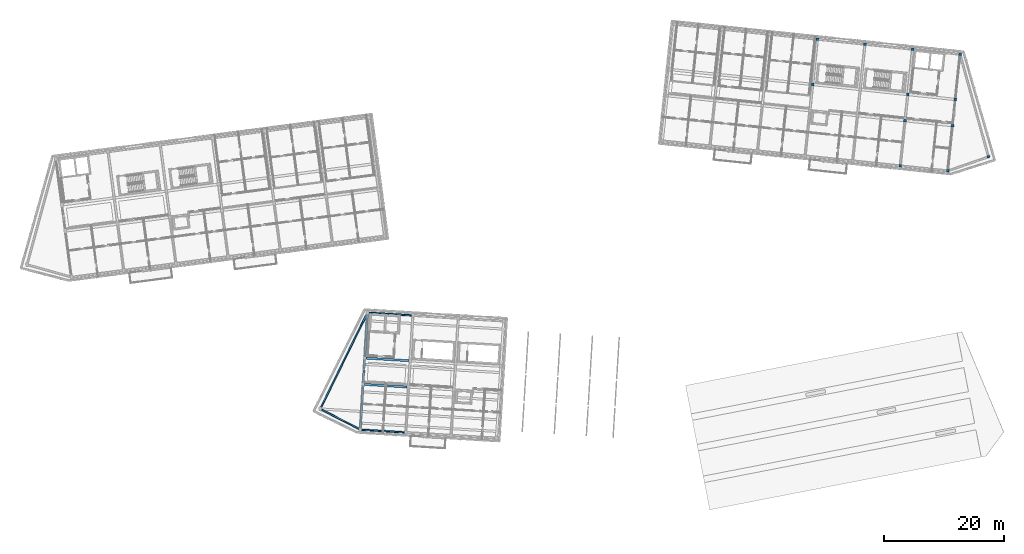
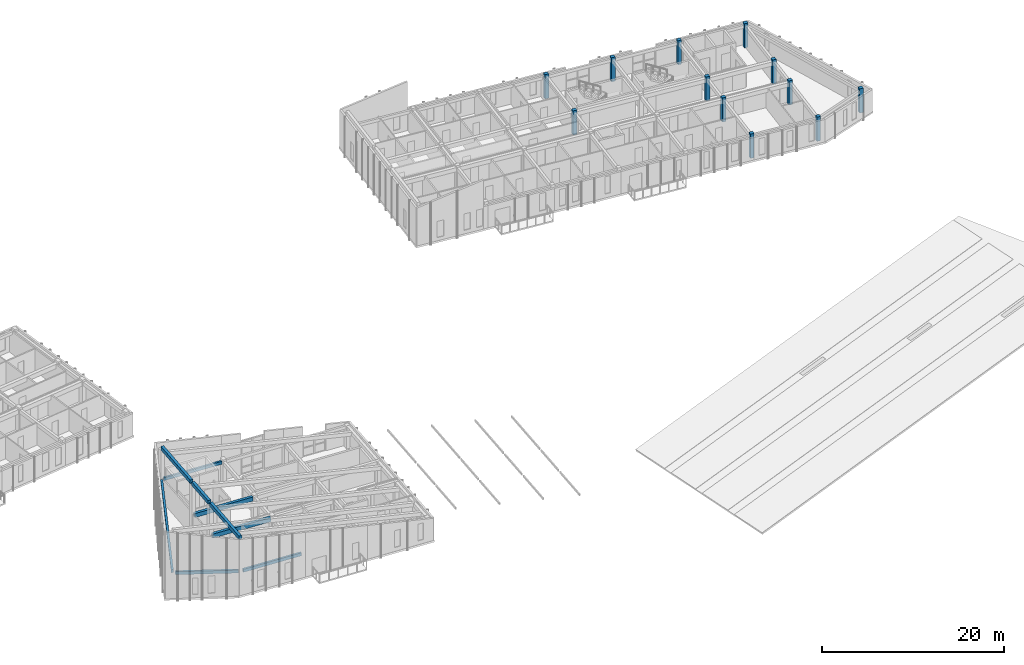
# One storey, part 2 of 45: 12 columns, 9 beams.
"""IFC4 building model written with IfcOpenShell, lengths in metres."""

from ifc_helpers import new_model, si_unit, direction, frame, origin, origin_2d, place, context, subcontext, project, spatial, rectangle, extrude, material, material_profile, profile_set, type_object, element, save


model = new_model("IFC4")

# Units and contexts
model_context = context("Model", 3, precision=1e-05, world=origin(), true_north=direction((0.0, 1.0)))
body_context = subcontext(model_context, "Body", "Model", "MODEL_VIEW")
ifc_project = project(units=[si_unit("LENGTHUNIT", "METRE"), si_unit("AREAUNIT", "SQUARE_METRE"), si_unit("VOLUMEUNIT", "CUBIC_METRE"), si_unit("PLANEANGLEUNIT", "RADIAN"), si_unit("MASSUNIT", "GRAM", prefix="KILO")], contexts=[model_context])

# Site, building, storey
site_placement = place(None, origin())
site = spatial("IfcSite", under=ifc_project, at=site_placement, CompositionType="ELEMENT")
building_placement = place(site_placement, origin())
building = spatial("IfcBuilding", under=site, at=building_placement, Name="Kestramere Prow Commons", CompositionType="ELEMENT")
storey_placement = place(building_placement, frame((0.0, 0.0, 31.14990234375)))
storey = spatial("IfcBuildingStorey", under=building, at=storey_placement, Name="L09", CompositionType="ELEMENT", Elevation=31.14990234375)

# Columns
ifc_material = material(Name="Precast concrete C40/50", Category="concrete")
ifc_material_profile_1 = material_profile(ifc_material, rectangle(XDim=0.449951171875, YDim=0.449951171875, at=origin_2d()), Name="PC-COL 450x450")
ifc_profile_set_1 = profile_set([ifc_material_profile_1], Name="Precast concrete C40/50")
column_type = type_object("IfcColumnType", Name="C-B3 PC-COL 450x450", PredefinedType="COLUMN", material=ifc_profile_set_1)
for number, where, z_axis, x_axis, name in (
    (1, (135.122802734375, 104.2255859375, 0.0), (0.0, 0.0, 1.0), (0.994521895368, -0.104528463268, 0.0), "Block B L09 Column 4-3"),
    (2, (135.917236328125, 111.783935546875, 0.0), (0.0, 0.0, 1.0), (0.994521895368, -0.104528463268, 0.0), "Block B L09 Column 4-4"),
    (3, (143.87353515625, 110.94775390625, 0.0), (0.0, 0.0, 1.0), (0.994521895368, -0.104528463268, 0.0), "Block B L09 Column 5-4"),
    (4, (149.78076171875, 90.618896484375, 0.0), (0.0, 0.0, 1.0), (0.994521895368, -0.104528463268, 0.0), "Block B L09 Column 6-1"),
    (5, (150.5751953125, 98.17724609375, 0.0), (0.0, 0.0, 1.0), (0.994521895368, -0.104528463268, 0.0), "Block B L09 Column 6-2"),
    (6, (151.03515625, 102.55322265625, 0.0), (0.0, 0.0, 1.0), (0.994521895368, -0.104528463268, 0.0), "Block B L09 Column 6-3"),
    (7, (151.82958984375, 110.111572265625, 0.0), (0.0, 0.0, 1.0), (0.994521895368, -0.104528463268, 0.0), "Block B L09 Column 6-4"),
    (8, (157.737060546875, 89.78271484375, 0.0), (0.0, 0.0, 1.0), (0.994521895368, -0.104528463268, 0.0), "Block B L09 Column 7-1"),
    (9, (158.531494140625, 97.341064453125, 0.0), (0.0, 0.0, 1.0), (0.994521895368, -0.104528463268, 0.0), "Block B L09 Column 7-2"),
    (10, (158.991455078125, 101.716796875, 0.0), (0.0, 0.0, 1.0), (0.994521895368, -0.104528463268, 0.0), "Block B L09 Column 7-3"),
    (11, (159.785888671875, 109.275146484375, 0.0), (0.0, 0.0, 1.0), (0.994521895368, -0.104528463268, 0.0), "Block B L09 Column 7-4"),
    (12, (164.520263671875, 92.136474609375, 0.0), (0.0, 0.0, 1.0), (0.994521895368, -0.104528463268, 0.0), "Block B L09 Prow Apex Column"),
):
    element("IfcColumn", number, at=place(storey_placement, frame(where, z_axis=z_axis, x_axis=x_axis)), inside=storey, type_object=column_type, Name=name, PredefinedType="COLUMN", context=body_context, shape_type="SweptSolid", body=[
        extrude(rectangle(XDim=0.449951171875, YDim=0.449951171875, at=origin_2d()), origin(), (0.0, 0.0, 1.0), 3.25),
    ])

# Beams
ifc_material_profile_2 = material_profile(ifc_material, rectangle(XDim=0.35009765625, YDim=0.550048828125, at=origin_2d()), Name="PC-BM 350x550")
ifc_profile_set_2 = profile_set([ifc_material_profile_2], Name="Precast concrete C40/50")
beam_type_1 = type_object("IfcBeamType", Name="BM-C1 PC-BM 350x550", PredefinedType="BEAM", material=ifc_profile_set_2)
beam_1_placement = place(storey_placement, frame((60.1884765625, 54.072021484375, 2.72509765625), z_axis=(0.998134602239, -0.061051747017, 0.0), x_axis=(0.061051747017, 0.998134602239, 0.0)))
element("IfcBeam", 13, at=beam_1_placement, inside=storey, type_object=beam_type_1, Name="Block C L09 Longitudinal Beam 2-1", PredefinedType="BEAM", context=body_context, shape_type="SweptSolid", body=[
    extrude(rectangle(XDim=0.35009765625, YDim=0.550048828125, at=origin_2d()), origin(), (0.0, 0.0, 1.0), 7.150146484375),
])
beam_2_placement = place(storey_placement, frame((60.457275390625, 58.4638671875, 2.72509765625), z_axis=(0.998134474962, -0.061053827828, 0.0), x_axis=(0.061053827828, 0.998134474962, 0.0)))
element("IfcBeam", 14, at=beam_2_placement, inside=storey, type_object=beam_type_1, Name="Block C L09 Longitudinal Beam 3-1", PredefinedType="BEAM", context=body_context, shape_type="SweptSolid", body=[
    extrude(rectangle(XDim=0.35009765625, YDim=0.550048828125, at=origin_2d()), origin(), (0.0, 0.0, 1.0), 7.14990234375),
])
ifc_material_profile_3 = material_profile(ifc_material, rectangle(XDim=0.35009765625, YDim=0.5, at=origin_2d()), Name="PC-RB 350x500")
ifc_profile_set_3 = profile_set([ifc_material_profile_3], Name="Precast concrete C40/50")
beam_type_2 = type_object("IfcBeamType", Name="RB-PR-02 PC-RB 350x500", PredefinedType="BEAM", material=ifc_profile_set_3)
beam_3_placement = place(storey_placement, frame((59.510986328125, 46.6796875, 7.145263671875), z_axis=(0.061034646049, 0.998135648087, 0.0), x_axis=(-0.998135648087, 0.061034646049, 0.0)))
element("IfcBeam", 15, at=beam_3_placement, inside=storey, type_object=beam_type_2, Name="Block C Prow Peak Transverse Girder 1", PredefinedType="BEAM", context=body_context, shape_type="SweptSolid", body=[
    extrude(rectangle(XDim=0.35009765625, YDim=0.5, at=origin_2d()), origin(), (0.0, 0.0, 1.0), 7.239990234375),
])
beam_4_placement = place(storey_placement, frame((59.974853515625, 54.265380859375, 7.145263671875), z_axis=(0.061095319214, 0.998131936154, 0.0), x_axis=(-0.998131936154, 0.061095319214, 0.0)))
element("IfcBeam", 16, at=beam_4_placement, inside=storey, type_object=beam_type_2, Name="Block C Prow Peak Transverse Girder 2", PredefinedType="BEAM", context=body_context, shape_type="SweptSolid", body=[
    extrude(rectangle(XDim=0.35009765625, YDim=0.5, at=origin_2d()), origin(), (0.0, 0.0, 1.0), 4.0400390625),
])
beam_5_placement = place(storey_placement, frame((60.24365234375, 58.6572265625, 7.145263671875), z_axis=(0.061034646049, 0.998135648087, 0.0), x_axis=(-0.998135648087, 0.061034646049, 0.0)))
element("IfcBeam", 17, at=beam_5_placement, inside=storey, type_object=beam_type_2, Name="Block C Prow Peak Transverse Girder 3", PredefinedType="BEAM", context=body_context, shape_type="SweptSolid", body=[
    extrude(rectangle(XDim=0.35009765625, YDim=0.5, at=origin_2d()), origin(), (0.0, 0.0, 1.0), 7.239990234375),
])
ifc_material_profile_4 = material_profile(ifc_material, rectangle(XDim=0.25, YDim=0.39990234375, at=origin_2d()), Name="PC-SP 250x400")
ifc_profile_set_4 = profile_set([ifc_material_profile_4], Name="Precast concrete C40/50")
beam_type_3 = type_object("IfcBeamType", Name="SP-EXT-01 PC-SP 250x400", PredefinedType="SPANDREL", material=ifc_profile_set_4)
beam_6_placement = place(storey_placement, frame((59.251220703125, 46.628662109375, 2.800048828125), z_axis=(-0.888240269485, 0.459379171998, 0.0), x_axis=(-0.459379171998, -0.888240269485, 0.0)))
element("IfcBeam", 18, at=beam_6_placement, inside=storey, type_object=beam_type_3, Name="Block C L09 Prow Facet Beam S", PredefinedType="SPANDREL", context=body_context, shape_type="SweptSolid", body=[
    extrude(rectangle(XDim=0.25, YDim=0.39990234375, at=origin_2d()), origin(), (0.0, 0.0, 1.0), 6.98388671875),
])
beam_7_placement = place(storey_placement, frame((60.5732421875, 65.81201171875, 2.800048828125), z_axis=(-0.440448933016, -0.897777665909, 0.0), x_axis=(0.897777665909, -0.440448933016, 0.0)))
element("IfcBeam", 19, at=beam_7_placement, inside=storey, type_object=beam_type_3, Name="Block C L09 Prow Facet Beam N", PredefinedType="SPANDREL", context=body_context, shape_type="SweptSolid", body=[
    extrude(rectangle(XDim=0.25, YDim=0.39990234375, at=origin_2d()), origin(), (0.0, 0.0, 1.0), 17.37060546875),
])
for number, where, z_axis, x_axis, name in (
    (20, (59.724609375, 46.486328125, 2.800048828125), (0.998134602239, -0.061051747017, 0.0), (0.061051747017, 0.998134602239, 0.0), "Block C L09 Longitudinal Beam 1-1"),
    (21, (60.921142578125, 66.0498046875, 2.800048828125), (0.998134602239, -0.061051747017, 0.0), (0.061051747017, 0.998134602239, 0.0), "Block C L09 Longitudinal Beam 4-1"),
):
    element("IfcBeam", number, at=place(storey_placement, frame(where, z_axis=z_axis, x_axis=x_axis)), inside=storey, type_object=beam_type_3, Name=name, PredefinedType="SPANDREL", context=body_context, shape_type="SweptSolid", body=[
        extrude(rectangle(XDim=0.25, YDim=0.39990234375, at=origin_2d()), origin(), (0.0, 0.0, 1.0), 7.150146484375),
    ])

save(model, "model.ifc")
